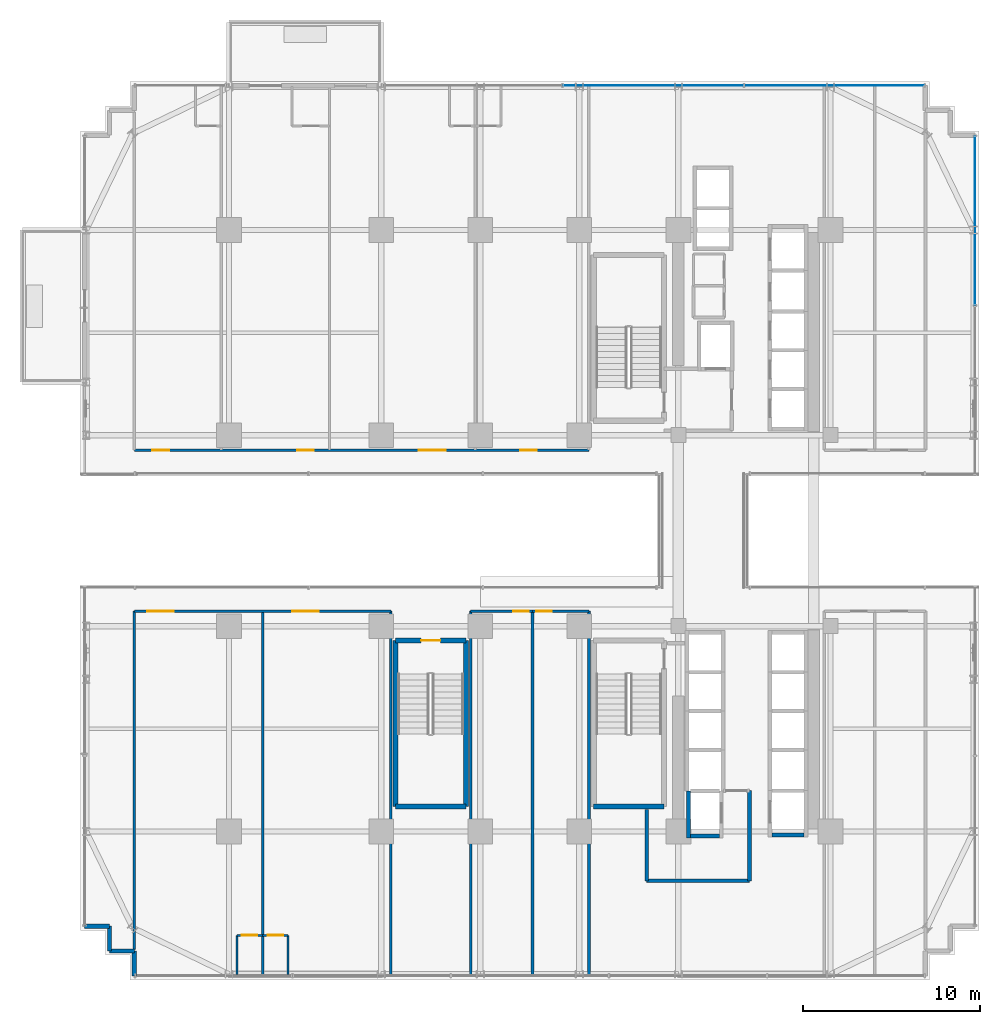
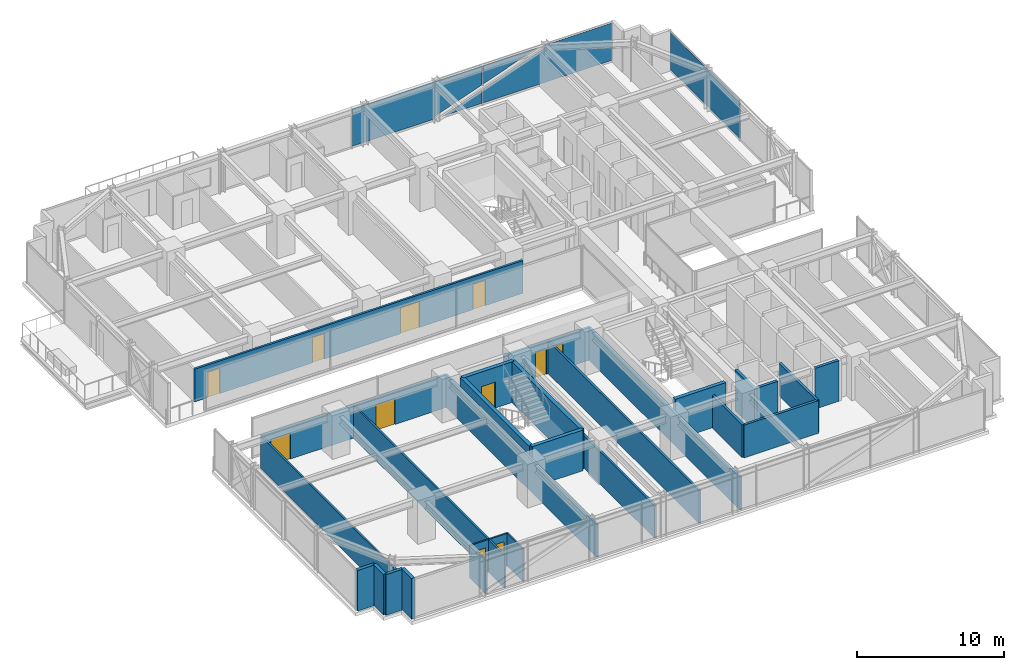
# One storey, part 35 of 42: 29 walls, 11 doors, 3 plates, 11 openings, 2 elements without a shape of their own.
"""IFC4 building model written with IfcOpenShell, lengths in metres."""

from ifc_helpers import new_model, si_unit, direction, frame, frame_2d, origin, origin_2d, place, context, subcontext, project, spatial, polyline, rectangle, outline, extrude, source, transform, mapped, material, layer, layer_set, type_object, element, fill, aggregate, save


model = new_model("IFC4")

# Units and contexts
model_context = context("Model", 3, precision=1e-05, world=origin(), true_north=direction((0.0, 1.0)))
body_context = subcontext(model_context, "Body", "Model", "MODEL_VIEW")
ifc_project = project(units=[si_unit("LENGTHUNIT", "METRE"), si_unit("AREAUNIT", "SQUARE_METRE"), si_unit("VOLUMEUNIT", "CUBIC_METRE"), si_unit("PLANEANGLEUNIT", "RADIAN"), si_unit("MASSUNIT", "GRAM", prefix="KILO")], contexts=[model_context])

# Site, building, storey
site_placement = place(None, origin())
site = spatial("IfcSite", under=ifc_project, at=site_placement, CompositionType="ELEMENT")
building_placement = place(site_placement, origin())
building = spatial("IfcBuilding", under=site, at=building_placement, Name="Nahalor Promenade Grand Hotel", CompositionType="ELEMENT")
storey_placement = place(building_placement, frame((0.0, 0.0, 61.60009765625)))
storey = spatial("IfcBuildingStorey", under=building, at=storey_placement, Name="L14", CompositionType="ELEMENT", Elevation=61.60009765625)

# Curtain wall, plates
ifc_material_1 = material(Name="Anodised Bronze Aluminium EN AW-6063 T6", Category="aluminium")
curtain_wall_type = type_object("IfcCurtainWallType", Name="CW3 Elliptical-Void Collar Unitised Curtain Wall", PredefinedType="USERDEFINED", material=ifc_material_1)
curtain_wall_1_placement = place(storey_placement, origin())
curtain_wall_1 = element("IfcCurtainWall", 1, at=curtain_wall_1_placement, inside=storey, type_object=curtain_wall_type, Name="L14 Curtain Wall CW-L14-N-3", ObjectType="UNITISED_CURTAIN_WALL", PredefinedType="USERDEFINED")
ifc_material_2 = material(Name="Low-E Laminated Solar Glass", Category="glass")
ifc_layer_1 = layer(ifc_material_2, 0.030029296875)
ifc_layer_set_1 = layer_set([ifc_layer_1], Name="Low-E Laminated Solar Glass")
plate_type = type_object("IfcPlateType", Name="CWP3 High-Wind Laminated Bronze IGU 30mm", PredefinedType="CURTAIN_PANEL", material=ifc_layer_set_1)
plate_1_placement = place(storey_placement, frame((6.97998046875, 25.159912109375, 0.1396484375), z_axis=(0.0, 0.0, 1.0), x_axis=(1.0, 0.0, 0.0)))
plate_1 = element("IfcPlate", 2, at=plate_1_placement, type_object=plate_type, Name="CW-L14-N-3 Glazing Panel 1-0", PredefinedType="CURTAIN_PANEL", context=body_context, shape_type="SweptSolid", body=[
    extrude(outline(polyline([(-5.091552734375, 3.090087890625), (-5.091552734375, 0.0), (1.39697265625, 0.0), (1.3291015625, 0.18994140625), (5.091552734375, 1.532958984375), (5.091552734375, 3.090087890625), (-5.091552734375, 3.090087890625)])), frame((0.0, 0.01513671875, 0.0), z_axis=(0.0, -1.0, 0.0), x_axis=(1.0, 0.0, 0.0)), (0.0, 0.0, 1.0), 0.030029296875),
    extrude(outline(polyline([(1.98681640625, 0.0), (5.091552734375, 0.0), (5.091552734375, 1.1083984375), (1.98681640625, 0.0)])), frame((0.0, 0.01513671875, 0.0), z_axis=(0.0, -1.0, 0.0), x_axis=(1.0, 0.0, 0.0)), (0.0, 0.0, 1.0), 0.030029296875),
])
plate_2_placement = place(storey_placement, frame((17.2158203125, 25.159912109375, 0.1396484375), z_axis=(0.0, 0.0, 1.0), x_axis=(1.0, 0.0, 0.0)))
plate_2 = element("IfcPlate", 3, at=plate_2_placement, type_object=plate_type, Name="CW-L14-N-3 Glazing Panel 2-0", PredefinedType="CURTAIN_PANEL", context=body_context, shape_type="SweptSolid", body=[
    extrude(outline(polyline([(5.07421875, 0.0), (5.07421875, 3.090087890625), (-0.19287109375, 3.090087890625), (-0.125, 2.900146484375), (-5.07421875, 1.13330078125), (-5.07421875, 0.0), (5.07421875, 0.0)])), frame((0.0, 0.01513671875, 0.0), z_axis=(0.0, -1.0, 0.0), x_axis=(1.0, 0.0, 0.0)), (0.0, 0.0, 1.0), 0.030029296875),
    extrude(outline(polyline([(-0.78271484375, 3.090087890625), (-5.07421875, 3.090087890625), (-5.07421875, 1.55810546875), (-0.78271484375, 3.090087890625)])), frame((0.0, 0.01513671875, 0.0), z_axis=(0.0, -1.0, 0.0), x_axis=(1.0, 0.0, 0.0)), (0.0, 0.0, 1.0), 0.030029296875),
])
aggregate(curtain_wall_1, [plate_1, plate_2])

# Curtain wall, plate
curtain_wall_2_placement = place(storey_placement, origin())
curtain_wall_2 = element("IfcCurtainWall", 4, at=curtain_wall_2_placement, inside=storey, type_object=curtain_wall_type, Name="L14 Curtain Wall CW-L14-E-2", ObjectType="UNITISED_CURTAIN_WALL", PredefinedType="USERDEFINED")
shared_shape_1 = source(origin(), body_context, "Body", "SweptSolid", [
    extrude(rectangle(XDim=9.52490234375, YDim=0.030029296875, at=origin_2d()), origin(), (0.0, 0.0, 1.0), 3.090087890625),
])
plate_3_placement = place(storey_placement, frame((25.159912109375, 17.527587890625, 0.1396484375), z_axis=(0.0, 0.0, 1.0), x_axis=(0.0, 1.0, 0.0)))
plate_3 = element("IfcPlate", 5, at=plate_3_placement, type_object=plate_type, Name="CW-L14-E-2 Glazing Panel 1-0", PredefinedType="CURTAIN_PANEL", context=body_context, shape_type="MappedRepresentation", body=[
    mapped(shared_shape_1, transform((0.0, 0.0, 0.0), scale=1.0)),
])
aggregate(curtain_wall_2, [plate_3])

# Walls
ifc_material_3 = material(Name="Concrete B-50 (C40/50)", Category="concrete")
ifc_layer_2 = layer(ifc_material_3, 0.300048828125)
ifc_layer_set_2 = layer_set([ifc_layer_2], Name="Concrete B-50 (C40/50)")
wall_type_1 = type_object("IfcWallType", Name="Wall-ShaftShear-300", PredefinedType="SHEAR", material=ifc_layer_set_2)
shared_shape_2 = source(origin(), body_context, "Body", "SweptSolid", [
    extrude(rectangle(XDim=3.97998046875, YDim=0.300048828125, at=frame_2d((1.989990234375, 0.0))), origin(), (0.0, 0.0, 1.0), 3.369873046875),
])
for number, where, z_axis, x_axis, name in (
    (6, (3.610107421875, -15.590087890625, 0.0), (0.0, 0.0, 1.0), (1.0, 0.0, 0.0), "L14 Exit Stair ST2 Shaft Wall S"),
    (7, (-7.590087890625, -15.590087890625, 0.0), (0.0, 0.0, 1.0), (1.0, 0.0, 0.0), "L14 Exit Stair ST3 Shaft Wall S"),
):
    element("IfcWall", number, at=place(storey_placement, frame(where, z_axis=z_axis, x_axis=x_axis)), inside=storey, type_object=wall_type_1, Name=name, PredefinedType="SHEAR", context=body_context, shape_type="MappedRepresentation", body=[
        mapped(shared_shape_2, transform((0.0, 0.0, 0.0), scale=1.0)),
    ])

# Wall, opening, door
wall_1_placement = place(storey_placement, frame((-7.590087890625, -6.2099609375, 0.0), z_axis=(0.0, 0.0, 1.0), x_axis=(1.0, 0.0, 0.0)))
wall_1 = element("IfcWall", 8, at=wall_1_placement, inside=storey, type_object=wall_type_1, Name="L14 Exit Stair ST3 Shaft Wall N", PredefinedType="SHEAR", context=body_context, shape_type="MappedRepresentation", body=[
    mapped(shared_shape_2, transform((0.0, 0.0, 0.0), scale=1.0)),
])
opening_1_placement = place(wall_1_placement, frame((1.43994140625, 0.0, 0.0)))
opening_1 = element("IfcOpeningElement", 9, at=opening_1_placement, cuts=wall_1, Name="Opening D-ST1", PredefinedType="OPENING", context=body_context, shape_type="SweptSolid", body=[
    extrude(rectangle(XDim=1.10009765625, YDim=2.14990234375, at=frame_2d((0.550048828125, 1.074951171875))), frame((0.0, 0.159912109375, 0.0), z_axis=(0.0, -1.0, 0.0), x_axis=(1.0, 0.0, 0.0)), (0.0, 0.0, 1.0), 0.320068359375),
])
ifc_material_4 = material(Name="Steel S355JR", Category="steel")
door_type_1 = type_object("IfcDoorType", Name="Door-StairFire-1100", OperationType="NOTDEFINED", PredefinedType="DOOR", material=ifc_material_4)
shared_shape_3 = source(origin(), body_context, "Body", "SweptSolid", [
    extrude(rectangle(XDim=1.10009765625, YDim=2.14990234375, at=frame_2d((0.550048828125, 1.074951171875))), frame((0.0, 0.02490234375, 0.0), z_axis=(0.0, -1.0, 0.0), x_axis=(1.0, 0.0, 0.0)), (0.0, 0.0, 1.0), 0.050048828125),
])
door_1_placement = place(opening_1_placement, frame((1.10009765625, 0.0, 0.0), z_axis=(0.0, 0.0, 1.0), x_axis=(-1.0, 0.0, 0.0)))
door_1 = element("IfcDoor", 10, at=door_1_placement, inside=storey, type_object=door_type_1, Name="DR-STAIR-ST3-L14", OperationType="SINGLE_SWING_LEFT", OverallHeight=2.14990234375, OverallWidth=1.10009765625, PredefinedType="DOOR", context=body_context, shape_type="MappedRepresentation", body=[
    mapped(shared_shape_3, transform((0.0, 0.0, 0.0), scale=1.0)),
])
fill(opening_1, door_1)

# Walls
shared_shape_4 = source(origin(), body_context, "Body", "SweptSolid", [
    extrude(rectangle(XDim=9.380126953125, YDim=0.300048828125, at=frame_2d((4.68994140625, 0.0))), origin(), (0.0, 0.0, 1.0), 3.369873046875),
])
for number, where, z_axis, x_axis, name in (
    (11, (-7.590087890625, -15.590087890625, 0.0), (0.0, 0.0, 1.0), (0.0, 1.0, 0.0), "L14 Exit Stair ST3 Shaft Wall W"),
    (12, (-3.610107421875, -15.590087890625, 0.0), (0.0, 0.0, 1.0), (0.0, 1.0, 0.0), "L14 Exit Stair ST3 Shaft Wall E"),
):
    element("IfcWall", number, at=place(storey_placement, frame(where, z_axis=z_axis, x_axis=x_axis)), inside=storey, type_object=wall_type_1, Name=name, PredefinedType="SHEAR", context=body_context, shape_type="MappedRepresentation", body=[
        mapped(shared_shape_4, transform((0.0, 0.0, 0.0), scale=1.0)),
    ])
ifc_layer_3 = layer(ifc_material_3, 0.219970703125)
ifc_layer_set_3 = layer_set([ifc_layer_3], Name="Concrete B-50 (C40/50)")
wall_type_2 = type_object("IfcWallType", Name="Wall-LiftShaft-220", PredefinedType="SHEAR", material=ifc_layer_set_3)
shared_shape_5 = source(origin(), body_context, "Body", "SweptSolid", [
    extrude(rectangle(XDim=1.820068359375, YDim=0.219970703125, at=frame_2d((0.91015625, 0.0))), origin(), (0.0, 0.0, 1.0), 3.369873046875),
])
wall_2_placement = place(storey_placement, frame((13.68994140625, -17.199951171875, 0.0), z_axis=(0.0, 0.0, 1.0), x_axis=(1.0, 0.0, 0.0)))
element("IfcWall", 13, at=wall_2_placement, inside=storey, type_object=wall_type_2, Name="L14 Lift SV2 Hoistway Wall S", PredefinedType="SHEAR", context=body_context, shape_type="MappedRepresentation", body=[
    mapped(shared_shape_5, transform((0.0, 0.0, 0.0), scale=1.0)),
])
shared_shape_6 = source(origin(), body_context, "Body", "SweptSolid", [
    extrude(rectangle(XDim=2.635009765625, YDim=0.219970703125, at=frame_2d((1.3173828125, 0.0))), origin(), (0.0, 0.0, 1.0), 3.369873046875),
])
wall_3_placement = place(storey_placement, frame((8.97998046875, -17.360107421875, 0.0), z_axis=(0.0, 0.0, 1.0), x_axis=(0.0, 1.0, 0.0)))
element("IfcWall", 14, at=wall_3_placement, inside=storey, type_object=wall_type_2, Name="L14 Lift FL2 Hoistway Wall W", PredefinedType="SHEAR", context=body_context, shape_type="MappedRepresentation", body=[
    mapped(shared_shape_6, transform((0.0, 0.0, 0.0), scale=1.0)),
])
shared_shape_7 = source(origin(), body_context, "Body", "SweptSolid", [
    extrude(rectangle(XDim=1.619873046875, YDim=0.219970703125, at=frame_2d((0.81005859375, 0.0))), origin(), (0.0, 0.0, 1.0), 3.369873046875),
])
wall_4_placement = place(storey_placement, frame((9.090087890625, -17.25, 0.0), z_axis=(0.0, 0.0, 1.0), x_axis=(1.0, 0.0, 0.0)))
element("IfcWall", 15, at=wall_4_placement, inside=storey, type_object=wall_type_2, Name="L14 Lift FL2 Hoistway Wall S", PredefinedType="SHEAR", context=body_context, shape_type="MappedRepresentation", body=[
    mapped(shared_shape_7, transform((0.0, 0.0, 0.0), scale=1.0)),
])
ifc_material_5 = material(Name="Concrete B-40 (C32/40)", Category="concrete")
ifc_layer_4 = layer(ifc_material_5, 0.25)
ifc_layer_set_4 = layer_set([ifc_layer_4], Name="Concrete B-40 (C32/40)")
wall_type_3 = type_object("IfcWallType", Name="Wall-BronzePier-250", PredefinedType="STANDARD", material=ifc_layer_set_4)
shared_shape_8 = source(origin(), body_context, "Body", "SweptSolid", [
    extrude(rectangle(XDim=1.39990234375, YDim=0.25, at=frame_2d((0.699951171875, 0.0))), origin(), (0.0, 0.0, 1.0), 3.369873046875),
])
for number, where, z_axis, x_axis, name in (
    (16, (-25.159912109375, -22.360107421875, 0.0), (0.0, 0.0, 1.0), (1.0, 0.0, 0.0), "W-L14-SR-13"),
    (17, (-23.760009765625, -23.760009765625, 0.0), (0.0, 0.0, 1.0), (0.0, 1.0, 0.0), "W-L14-SR-14"),
    (18, (-23.760009765625, -23.760009765625, 0.0), (0.0, 0.0, 1.0), (1.0, 0.0, 0.0), "W-L14-SR-15"),
    (19, (-22.360107421875, -25.159912109375, 0.0), (0.0, 0.0, 1.0), (0.0, 1.0, 0.0), "W-L14-SR-16"),
):
    element("IfcWall", number, at=place(storey_placement, frame(where, z_axis=z_axis, x_axis=x_axis)), inside=storey, type_object=wall_type_3, Name=name, PredefinedType="STANDARD", context=body_context, shape_type="MappedRepresentation", body=[
        mapped(shared_shape_8, transform((0.0, 0.0, 0.0), scale=1.0)),
    ])
ifc_layer_5 = layer(ifc_material_5, 0.199951171875)
ifc_layer_set_5 = layer_set([ifc_layer_5], Name="Concrete B-40 (C32/40)")
wall_type_4 = type_object("IfcWallType", Name="Wall-PartFire-200", PredefinedType="PARTITIONING", material=ifc_layer_set_5)
shared_shape_9 = source(origin(), body_context, "Body", "SweptSolid", [
    extrude(rectangle(XDim=5.81982421875, YDim=0.199951171875, at=frame_2d((2.909912109375, 0.0))), origin(), (0.0, 0.0, 1.0), 2.7099609375),
])
wall_5_placement = place(storey_placement, frame((6.60009765625, -19.800048828125, 0.0), z_axis=(0.0, 0.0, 1.0), x_axis=(1.0, 0.0, 0.0)))
element("IfcWall", 20, at=wall_5_placement, inside=storey, type_object=wall_type_4, Name="W-L14-FF2-S1", PredefinedType="PARTITIONING", context=body_context, shape_type="MappedRepresentation", body=[
    mapped(shared_shape_9, transform((0.0, 0.0, 0.0), scale=1.0)),
])
shared_shape_10 = source(origin(), body_context, "Body", "SweptSolid", [
    extrude(rectangle(XDim=4.030029296875, YDim=0.199951171875, at=frame_2d((2.01513671875, 0.0))), origin(), (0.0, 0.0, 1.0), 2.7099609375),
])
wall_6_placement = place(storey_placement, frame((6.60009765625, -19.800048828125, 0.0), z_axis=(0.0, 0.0, 1.0), x_axis=(0.0, 1.0, 0.0)))
element("IfcWall", 21, at=wall_6_placement, inside=storey, type_object=wall_type_4, Name="W-L14-FF2-W1", PredefinedType="PARTITIONING", context=body_context, shape_type="MappedRepresentation", body=[
    mapped(shared_shape_10, transform((0.0, 0.0, 0.0), scale=1.0)),
])
shared_shape_11 = source(origin(), body_context, "Body", "SweptSolid", [
    extrude(rectangle(XDim=5.10009765625, YDim=0.199951171875, at=frame_2d((2.550048828125, 0.0))), origin(), (0.0, 0.0, 1.0), 2.7099609375),
])
wall_7_placement = place(storey_placement, frame((12.419921875, -19.800048828125, 0.0), z_axis=(0.0, 0.0, 1.0), x_axis=(0.0, 1.0, 0.0)))
element("IfcWall", 22, at=wall_7_placement, inside=storey, type_object=wall_type_4, Name="W-L14-FF2-E", PredefinedType="PARTITIONING", context=body_context, shape_type="MappedRepresentation", body=[
    mapped(shared_shape_11, transform((0.0, 0.0, 0.0), scale=1.0)),
])
ifc_material_6 = material(Name="Acoustic Mineral Gypsum", Category="gypsum")
ifc_layer_6 = layer(ifc_material_6, 0.159912109375)
ifc_layer_set_6 = layer_set([ifc_layer_6], Name="Acoustic Mineral Gypsum")
wall_type_5 = type_object("IfcWallType", Name="Wall-PartCorridor-160", PredefinedType="PARTITIONING", material=ifc_layer_set_6)
shared_shape_12 = source(origin(), body_context, "Body", "SweptSolid", [
    extrude(rectangle(XDim=20.550048828125, YDim=0.159912109375, at=frame_2d((10.27490234375, 0.0))), origin(), (0.0, 0.0, 1.0), 2.7099609375),
])
for number, where, z_axis, x_axis, name in (
    (23, (-3.340087890625, -25.10009765625, 0.0), (0.0, 0.0, 1.0), (0.0, 1.0, 0.0), "W-L14-SCB1-W"),
    (24, (0.14990234375, -25.10009765625, 0.0), (0.0, 0.0, 1.0), (0.0, 1.0, 0.0), "W-L14-SCB1-E"),
    (25, (3.340087890625, -25.10009765625, 0.0), (0.0, 0.0, 1.0), (0.0, 1.0, 0.0), "W-L14-SCB2-E"),
):
    element("IfcWall", number, at=place(storey_placement, frame(where, z_axis=z_axis, x_axis=x_axis)), inside=storey, type_object=wall_type_5, Name=name, PredefinedType="PARTITIONING", context=body_context, shape_type="MappedRepresentation", body=[
        mapped(shared_shape_12, transform((0.0, 0.0, 0.0), scale=1.0)),
    ])

# Wall, openings, doors
shared_shape_13 = source(origin(), body_context, "Body", "SweptSolid", [
    extrude(rectangle(XDim=25.7001953125, YDim=0.159912109375, at=frame_2d((12.85009765625, 0.0))), origin(), (0.0, 0.0, 1.0), 2.7099609375),
])
wall_8_placement = place(storey_placement, frame((-22.360107421875, 4.550048828125, 0.0), z_axis=(0.0, 0.0, 1.0), x_axis=(1.0, 0.0, 0.0)))
wall_8 = element("IfcWall", 26, at=wall_8_placement, inside=storey, type_object=wall_type_5, Name="W-L14-CORR-N", PredefinedType="PARTITIONING", context=body_context, shape_type="MappedRepresentation", body=[
    mapped(shared_shape_13, transform((0.0, 0.0, 0.0), scale=1.0)),
])
opening_2_placement = place(wall_8_placement, frame((1.02001953125, 0.0, 0.0)))
opening_2 = element("IfcOpeningElement", 27, at=opening_2_placement, cuts=wall_8, Name="Opening D-01", PredefinedType="OPENING", context=body_context, shape_type="SweptSolid", body=[
    extrude(rectangle(XDim=0.949951171875, YDim=2.10009765625, at=frame_2d((0.47509765625, 1.050048828125))), frame((0.0, 0.08984375, 0.0), z_axis=(0.0, -1.0, 0.0), x_axis=(1.0, 0.0, 0.0)), (0.0, 0.0, 1.0), 0.179931640625),
])
opening_3_placement = place(wall_8_placement, frame((9.2060546875, 0.0, 0.0)))
opening_3 = element("IfcOpeningElement", 28, at=opening_3_placement, cuts=wall_8, Name="Opening D-01", PredefinedType="OPENING", context=body_context, shape_type="SweptSolid", body=[
    extrude(rectangle(XDim=0.949951171875, YDim=2.10009765625, at=frame_2d((0.47509765625, 1.050048828125))), frame((0.0, 0.08984375, 0.0), z_axis=(0.0, -1.0, 0.0), x_axis=(1.0, 0.0, 0.0)), (0.0, 0.0, 1.0), 0.179931640625),
])
opening_4_placement = place(wall_8_placement, frame((16.095947265625, 0.0, 0.0)))
opening_4 = element("IfcOpeningElement", 29, at=opening_4_placement, cuts=wall_8, Name="Opening D-02", PredefinedType="OPENING", context=body_context, shape_type="SweptSolid", body=[
    extrude(rectangle(XDim=1.5, YDim=2.14990234375, at=frame_2d((0.75, 1.074951171875))), frame((0.0, 0.08984375, 0.0), z_axis=(0.0, -1.0, 0.0), x_axis=(1.0, 0.0, 0.0)), (0.0, 0.0, 1.0), 0.179931640625),
])
opening_5_placement = place(wall_8_placement, frame((21.81005859375, 0.0, 0.0)))
opening_5 = element("IfcOpeningElement", 30, at=opening_5_placement, cuts=wall_8, Name="Opening D-01", PredefinedType="OPENING", context=body_context, shape_type="SweptSolid", body=[
    extrude(rectangle(XDim=0.949951171875, YDim=2.10009765625, at=frame_2d((0.47509765625, 1.050048828125))), frame((0.0, 0.08984375, 0.0), z_axis=(0.0, -1.0, 0.0), x_axis=(1.0, 0.0, 0.0)), (0.0, 0.0, 1.0), 0.179931640625),
])
ifc_material_7 = material(Name="Fire-Rated Timber Composite", Category="wood")
door_type_2 = type_object("IfcDoorType", Name="Door-SuiteDouble-1500", OperationType="DOUBLE_DOOR_SINGLE_SWING", PredefinedType="DOOR", material=ifc_material_7)
shared_shape_14 = source(origin(), body_context, "Body", "SweptSolid", [
    extrude(rectangle(XDim=1.5, YDim=2.14990234375, at=frame_2d((0.75, 1.074951171875))), frame((0.0, 0.02490234375, 0.0), z_axis=(0.0, -1.0, 0.0), x_axis=(1.0, 0.0, 0.0)), (0.0, 0.0, 1.0), 0.050048828125),
])
door_2_placement = place(opening_4_placement, origin())
door_2 = element("IfcDoor", 31, at=door_2_placement, inside=storey, type_object=door_type_2, Name="DR-L14-N3-ENT", OperationType="DOUBLE_DOOR_SINGLE_SWING", OverallHeight=2.14990234375, OverallWidth=1.5, PredefinedType="DOOR", context=body_context, shape_type="MappedRepresentation", body=[
    mapped(shared_shape_14, transform((0.0, 0.0, 0.0), scale=1.0)),
])
fill(opening_4, door_2)
door_type_3 = type_object("IfcDoorType", Name="Door-GuestEntry-950", OperationType="NOTDEFINED", PredefinedType="DOOR", material=ifc_material_7)
shared_shape_15 = source(origin(), body_context, "Body", "SweptSolid", [
    extrude(rectangle(XDim=0.949951171875, YDim=2.10009765625, at=frame_2d((0.47509765625, 1.050048828125))), frame((0.0, 0.02490234375, 0.0), z_axis=(0.0, -1.0, 0.0), x_axis=(1.0, 0.0, 0.0)), (0.0, 0.0, 1.0), 0.050048828125),
])
door_3_placement = place(opening_2_placement, origin())
door_3 = element("IfcDoor", 32, at=door_3_placement, inside=storey, type_object=door_type_3, Name="DR-L14-N1-ENT", OperationType="SINGLE_SWING_LEFT", OverallHeight=2.10009765625, OverallWidth=0.949951171875, PredefinedType="DOOR", context=body_context, shape_type="MappedRepresentation", body=[
    mapped(shared_shape_15, transform((0.0, 0.0, 0.0), scale=1.0)),
])
fill(opening_2, door_3)
door_4_placement = place(opening_3_placement, origin())
door_4 = element("IfcDoor", 33, at=door_4_placement, inside=storey, type_object=door_type_3, Name="DR-L14-N2-ENT", OperationType="SINGLE_SWING_LEFT", OverallHeight=2.10009765625, OverallWidth=0.949951171875, PredefinedType="DOOR", context=body_context, shape_type="MappedRepresentation", body=[
    mapped(shared_shape_15, transform((0.0, 0.0, 0.0), scale=1.0)),
])
fill(opening_3, door_4)
door_5_placement = place(opening_5_placement, origin())
door_5 = element("IfcDoor", 34, at=door_5_placement, inside=storey, type_object=door_type_3, Name="DR-L14-N4-ENT", OperationType="SINGLE_SWING_RIGHT", OverallHeight=2.10009765625, OverallWidth=0.949951171875, PredefinedType="DOOR", context=body_context, shape_type="MappedRepresentation", body=[
    mapped(shared_shape_15, transform((0.0, 0.0, 0.0), scale=1.0)),
])
fill(opening_5, door_5)

# Walls
ifc_layer_7 = layer(ifc_material_6, 0.139892578125)
ifc_layer_set_7 = layer_set([ifc_layer_7], Name="Acoustic Mineral Gypsum")
wall_type_6 = type_object("IfcWallType", Name="Wall-PartSuite-140", PredefinedType="PARTITIONING", material=ifc_layer_set_7)
shared_shape_16 = source(origin(), body_context, "Body", "SweptSolid", [
    extrude(rectangle(XDim=19.1298828125, YDim=0.139892578125, at=frame_2d((9.56494140625, 0.0))), origin(), (0.0, 0.0, 1.0), 2.7099609375),
])
wall_9_placement = place(storey_placement, frame((-22.360107421875, -23.679931640625, 0.0), z_axis=(0.0, 0.0, 1.0), x_axis=(0.0, 1.0, 0.0)))
element("IfcWall", 35, at=wall_9_placement, inside=storey, type_object=wall_type_6, Name="W-L14-SW-ENDW", PredefinedType="PARTITIONING", context=body_context, shape_type="MappedRepresentation", body=[
    mapped(shared_shape_16, transform((0.0, 0.0, 0.0), scale=1.0)),
])
shared_shape_17 = source(origin(), body_context, "Body", "SweptSolid", [
    extrude(rectangle(XDim=20.550048828125, YDim=0.139892578125, at=frame_2d((10.27490234375, 0.0))), origin(), (0.0, 0.0, 1.0), 2.7099609375),
])
for number, where, z_axis, x_axis, name in (
    (36, (-7.860107421875, -25.10009765625, 0.0), (0.0, 0.0, 1.0), (0.0, 1.0, 0.0), "W-L14-SW-ENDE"),
    (37, (-15.110107421875, -25.10009765625, 0.0), (0.0, 0.0, 1.0), (0.0, 1.0, 0.0), "W-L14-SP-1"),
):
    element("IfcWall", number, at=place(storey_placement, frame(where, z_axis=z_axis, x_axis=x_axis)), inside=storey, type_object=wall_type_6, Name=name, PredefinedType="PARTITIONING", context=body_context, shape_type="MappedRepresentation", body=[
        mapped(shared_shape_17, transform((0.0, 0.0, 0.0), scale=1.0)),
    ])

# Wall, opening, door
ifc_layer_8 = layer(ifc_material_6, 0.1201171875)
ifc_layer_set_8 = layer_set([ifc_layer_8], Name="Acoustic Mineral Gypsum")
wall_type_7 = type_object("IfcWallType", Name="Wall-PartBath-120", PredefinedType="PARTITIONING", material=ifc_layer_set_8)
shared_shape_18 = source(origin(), body_context, "Body", "SweptSolid", [
    extrude(rectangle(XDim=1.4501953125, YDim=0.1201171875, at=frame_2d((0.72509765625, 0.0))), origin(), (0.0, 0.0, 1.0), 2.7099609375),
])
wall_10_placement = place(storey_placement, frame((-15.110107421875, -22.8798828125, 0.0), z_axis=(0.0, 0.0, 1.0), x_axis=(1.0, 0.0, 0.0)))
wall_10 = element("IfcWall", 38, at=wall_10_placement, inside=storey, type_object=wall_type_7, Name="W-L14-S2-BH", PredefinedType="PARTITIONING", context=body_context, shape_type="MappedRepresentation", body=[
    mapped(shared_shape_18, transform((0.0, 0.0, 0.0), scale=1.0)),
])
opening_6_placement = place(wall_10_placement, frame((0.284912109375, 0.0, 0.0)))
opening_6 = element("IfcOpeningElement", 39, at=opening_6_placement, cuts=wall_10, Name="Opening D-03", PredefinedType="OPENING", context=body_context, shape_type="SweptSolid", body=[
    extrude(rectangle(XDim=0.8798828125, YDim=2.10009765625, at=frame_2d((0.43994140625, 1.050048828125))), frame((0.0, 0.070068359375, 0.0), z_axis=(0.0, -1.0, 0.0), x_axis=(1.0, 0.0, 0.0)), (0.0, 0.0, 1.0), 0.14013671875),
])
door_type_4 = type_object("IfcDoorType", Name="Door-BathSwing-880", OperationType="NOTDEFINED", PredefinedType="DOOR", material=ifc_material_7)
shared_shape_19 = source(origin(), body_context, "Body", "SweptSolid", [
    extrude(rectangle(XDim=0.8798828125, YDim=2.10009765625, at=frame_2d((0.43994140625, 1.050048828125))), frame((0.0, 0.02490234375, 0.0), z_axis=(0.0, -1.0, 0.0), x_axis=(1.0, 0.0, 0.0)), (0.0, 0.0, 1.0), 0.050048828125),
])
door_6_placement = place(opening_6_placement, frame((0.8798828125, 0.0, 0.0), z_axis=(0.0, 0.0, 1.0), x_axis=(-1.0, 0.0, 0.0)))
door_6 = element("IfcDoor", 40, at=door_6_placement, inside=storey, type_object=door_type_4, Name="DR-L14-S2-BATH", OperationType="SINGLE_SWING_RIGHT", OverallHeight=2.10009765625, OverallWidth=0.8798828125, PredefinedType="DOOR", context=body_context, shape_type="MappedRepresentation", body=[
    mapped(shared_shape_19, transform((0.0, 0.0, 0.0), scale=1.0)),
])
fill(opening_6, door_6)

# Walls
shared_shape_20 = source(origin(), body_context, "Body", "SweptSolid", [
    extrude(rectangle(XDim=2.22021484375, YDim=0.1201171875, at=frame_2d((1.110107421875, 0.0))), origin(), (0.0, 0.0, 1.0), 2.7099609375),
])
for number, where, z_axis, x_axis, name in (
    (41, (-16.56005859375, -25.10009765625, 0.0), (0.0, 0.0, 1.0), (0.0, 1.0, 0.0), "W-L14-S1-BV"),
    (42, (-13.659912109375, -25.10009765625, 0.0), (0.0, 0.0, 1.0), (0.0, 1.0, 0.0), "W-L14-S2-BV"),
):
    element("IfcWall", number, at=place(storey_placement, frame(where, z_axis=z_axis, x_axis=x_axis)), inside=storey, type_object=wall_type_7, Name=name, PredefinedType="PARTITIONING", context=body_context, shape_type="MappedRepresentation", body=[
        mapped(shared_shape_20, transform((0.0, 0.0, 0.0), scale=1.0)),
    ])

# Wall, opening, door
shared_shape_21 = source(origin(), body_context, "Body", "SweptSolid", [
    extrude(rectangle(XDim=1.449951171875, YDim=0.1201171875, at=frame_2d((0.72509765625, 0.0))), origin(), (0.0, 0.0, 1.0), 2.7099609375),
])
wall_11_placement = place(storey_placement, frame((-16.56005859375, -22.8798828125, 0.0), z_axis=(0.0, 0.0, 1.0), x_axis=(1.0, 0.0, 0.0)))
wall_11 = element("IfcWall", 43, at=wall_11_placement, inside=storey, type_object=wall_type_7, Name="W-L14-S1-BH", PredefinedType="PARTITIONING", context=body_context, shape_type="MappedRepresentation", body=[
    mapped(shared_shape_21, transform((0.0, 0.0, 0.0), scale=1.0)),
])
opening_7_placement = place(wall_11_placement, frame((0.284912109375, 0.0, 0.0)))
opening_7 = element("IfcOpeningElement", 44, at=opening_7_placement, cuts=wall_11, Name="Opening D-03", PredefinedType="OPENING", context=body_context, shape_type="SweptSolid", body=[
    extrude(rectangle(XDim=0.8798828125, YDim=2.10009765625, at=frame_2d((0.43994140625, 1.050048828125))), frame((0.0, 0.070068359375, 0.0), z_axis=(0.0, -1.0, 0.0), x_axis=(1.0, 0.0, 0.0)), (0.0, 0.0, 1.0), 0.14013671875),
])
door_7_placement = place(opening_7_placement, frame((0.8798828125, 0.0, 0.0), z_axis=(0.0, 0.0, 1.0), x_axis=(-1.0, 0.0, 0.0)))
door_7 = element("IfcDoor", 45, at=door_7_placement, inside=storey, type_object=door_type_4, Name="DR-L14-S1-BATH", OperationType="SINGLE_SWING_LEFT", OverallHeight=2.10009765625, OverallWidth=0.8798828125, PredefinedType="DOOR", context=body_context, shape_type="MappedRepresentation", body=[
    mapped(shared_shape_19, transform((0.0, 0.0, 0.0), scale=1.0)),
])
fill(opening_7, door_7)

# Wall, openings, doors
shared_shape_22 = source(origin(), body_context, "Body", "SweptSolid", [
    extrude(rectangle(XDim=14.5, YDim=0.159912109375, at=frame_2d((7.25, 0.0))), origin(), (0.0, 0.0, 1.0), 2.7099609375),
])
wall_12_placement = place(storey_placement, frame((-22.360107421875, -4.550048828125, 0.0), z_axis=(0.0, 0.0, 1.0), x_axis=(1.0, 0.0, 0.0)))
wall_12 = element("IfcWall", 46, at=wall_12_placement, inside=storey, type_object=wall_type_5, Name="W-L14-CORR-S", PredefinedType="PARTITIONING", context=body_context, shape_type="MappedRepresentation", body=[
    mapped(shared_shape_22, transform((0.0, 0.0, 0.0), scale=1.0)),
])
opening_8_placement = place(wall_12_placement, frame((0.72705078125, 0.0, 0.0)))
opening_8 = element("IfcOpeningElement", 47, at=opening_8_placement, cuts=wall_12, Name="Opening D-02", PredefinedType="OPENING", context=body_context, shape_type="SweptSolid", body=[
    extrude(rectangle(XDim=1.5, YDim=2.14990234375, at=frame_2d((0.75, 1.074951171875))), frame((0.0, 0.08984375, 0.0), z_axis=(0.0, -1.0, 0.0), x_axis=(1.0, 0.0, 0.0)), (0.0, 0.0, 1.0), 0.179931640625),
])
opening_9_placement = place(wall_12_placement, frame((8.931884765625, 0.0, 0.0)))
opening_9 = element("IfcOpeningElement", 48, at=opening_9_placement, cuts=wall_12, Name="Opening D-02", PredefinedType="OPENING", context=body_context, shape_type="SweptSolid", body=[
    extrude(rectangle(XDim=1.5, YDim=2.14990234375, at=frame_2d((0.75, 1.074951171875))), frame((0.0, 0.08984375, 0.0), z_axis=(0.0, -1.0, 0.0), x_axis=(1.0, 0.0, 0.0)), (0.0, 0.0, 1.0), 0.179931640625),
])
door_8_placement = place(opening_8_placement, frame((1.5, 0.0, 0.0), z_axis=(0.0, 0.0, 1.0), x_axis=(-1.0, 0.0, 0.0)))
door_8 = element("IfcDoor", 49, at=door_8_placement, inside=storey, type_object=door_type_2, Name="DR-L14-S1-ENT", OperationType="DOUBLE_DOOR_SINGLE_SWING", OverallHeight=2.14990234375, OverallWidth=1.5, PredefinedType="DOOR", context=body_context, shape_type="MappedRepresentation", body=[
    mapped(shared_shape_14, transform((0.0, 0.0, 0.0), scale=1.0)),
])
fill(opening_8, door_8)
door_9_placement = place(opening_9_placement, frame((1.5, 0.0, 0.0), z_axis=(0.0, 0.0, 1.0), x_axis=(-1.0, 0.0, 0.0)))
door_9 = element("IfcDoor", 50, at=door_9_placement, inside=storey, type_object=door_type_2, Name="DR-L14-S2-ENT", OperationType="DOUBLE_DOOR_SINGLE_SWING", OverallHeight=2.14990234375, OverallWidth=1.5, PredefinedType="DOOR", context=body_context, shape_type="MappedRepresentation", body=[
    mapped(shared_shape_14, transform((0.0, 0.0, 0.0), scale=1.0)),
])
fill(opening_9, door_9)

# Wall, opening, door
shared_shape_23 = source(origin(), body_context, "Body", "SweptSolid", [
    extrude(rectangle(XDim=3.489990234375, YDim=0.159912109375, at=frame_2d((1.7451171875, 0.0))), origin(), (0.0, 0.0, 1.0), 2.7099609375),
])
wall_13_placement = place(storey_placement, frame((-3.340087890625, -4.550048828125, 0.0), z_axis=(0.0, 0.0, 1.0), x_axis=(1.0, 0.0, 0.0)))
wall_13 = element("IfcWall", 51, at=wall_13_placement, inside=storey, type_object=wall_type_5, Name="W-L14-SCB1-N", PredefinedType="PARTITIONING", context=body_context, shape_type="MappedRepresentation", body=[
    mapped(shared_shape_23, transform((0.0, 0.0, 0.0), scale=1.0)),
])
opening_10_placement = place(wall_13_placement, frame((2.39990234375, 0.0, 0.0)))
opening_10 = element("IfcOpeningElement", 52, at=opening_10_placement, cuts=wall_13, Name="Opening D-03", PredefinedType="OPENING", context=body_context, shape_type="SweptSolid", body=[
    extrude(rectangle(XDim=0.8798828125, YDim=2.10009765625, at=frame_2d((0.43994140625, 1.050048828125))), frame((0.0, 0.08984375, 0.0), z_axis=(0.0, -1.0, 0.0), x_axis=(1.0, 0.0, 0.0)), (0.0, 0.0, 1.0), 0.179931640625),
])
door_10_placement = place(opening_10_placement, frame((0.8798828125, 0.0, 0.0), z_axis=(0.0, 0.0, 1.0), x_axis=(-1.0, 0.0, 0.0)))
door_10 = element("IfcDoor", 53, at=door_10_placement, inside=storey, type_object=door_type_4, Name="DR-L14-SCB1", OperationType="SINGLE_SWING_LEFT", OverallHeight=2.10009765625, OverallWidth=0.8798828125, PredefinedType="DOOR", context=body_context, shape_type="MappedRepresentation", body=[
    mapped(shared_shape_19, transform((0.0, 0.0, 0.0), scale=1.0)),
])
fill(opening_10, door_10)

shared_shape_24 = source(origin(), body_context, "Body", "SweptSolid", [
    extrude(rectangle(XDim=3.190185546875, YDim=0.159912109375, at=frame_2d((1.59521484375, 0.0))), origin(), (0.0, 0.0, 1.0), 2.7099609375),
])
wall_14_placement = place(storey_placement, frame((0.14990234375, -4.550048828125, 0.0), z_axis=(0.0, 0.0, 1.0), x_axis=(1.0, 0.0, 0.0)))
wall_14 = element("IfcWall", 54, at=wall_14_placement, inside=storey, type_object=wall_type_5, Name="W-L14-SCB2-N", PredefinedType="PARTITIONING", context=body_context, shape_type="MappedRepresentation", body=[
    mapped(shared_shape_24, transform((0.0, 0.0, 0.0), scale=1.0)),
])
opening_11_placement = place(wall_14_placement, frame((0.2099609375, 0.0, 0.0)))
opening_11 = element("IfcOpeningElement", 55, at=opening_11_placement, cuts=wall_14, Name="Opening D-03", PredefinedType="OPENING", context=body_context, shape_type="SweptSolid", body=[
    extrude(rectangle(XDim=0.8798828125, YDim=2.10009765625, at=frame_2d((0.43994140625, 1.050048828125))), frame((0.0, 0.08984375, 0.0), z_axis=(0.0, -1.0, 0.0), x_axis=(1.0, 0.0, 0.0)), (0.0, 0.0, 1.0), 0.179931640625),
])
door_11_placement = place(opening_11_placement, frame((0.8798828125, 0.0, 0.0), z_axis=(0.0, 0.0, 1.0), x_axis=(-1.0, 0.0, 0.0)))
door_11 = element("IfcDoor", 56, at=door_11_placement, inside=storey, type_object=door_type_4, Name="DR-L14-SCB2", OperationType="SINGLE_SWING_RIGHT", OverallHeight=2.10009765625, OverallWidth=0.8798828125, PredefinedType="DOOR", context=body_context, shape_type="MappedRepresentation", body=[
    mapped(shared_shape_19, transform((0.0, 0.0, 0.0), scale=1.0)),
])
fill(opening_11, door_11)

save(model, "model.ifc")
